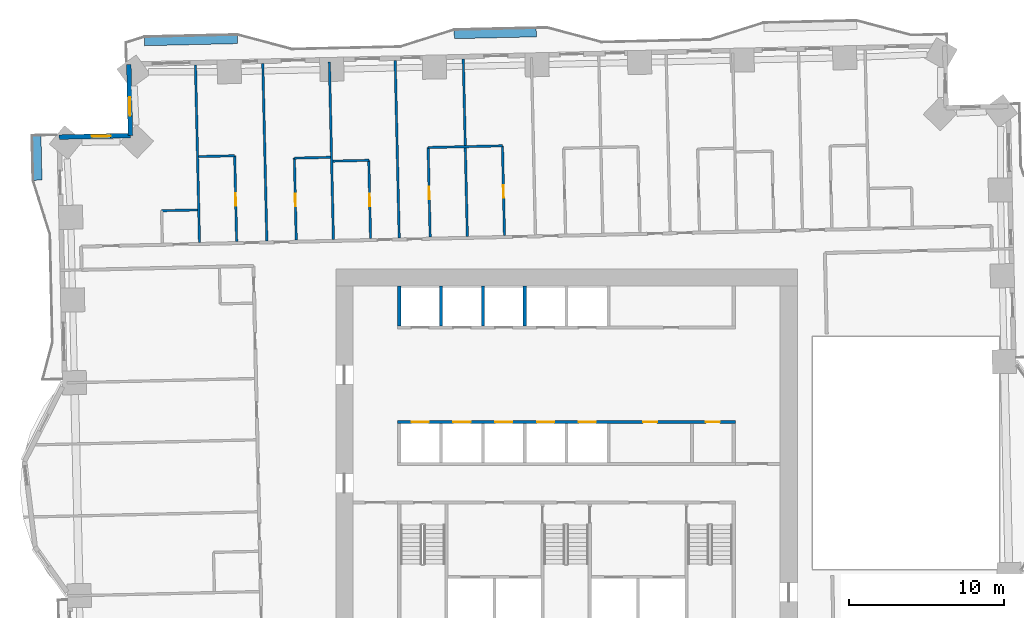
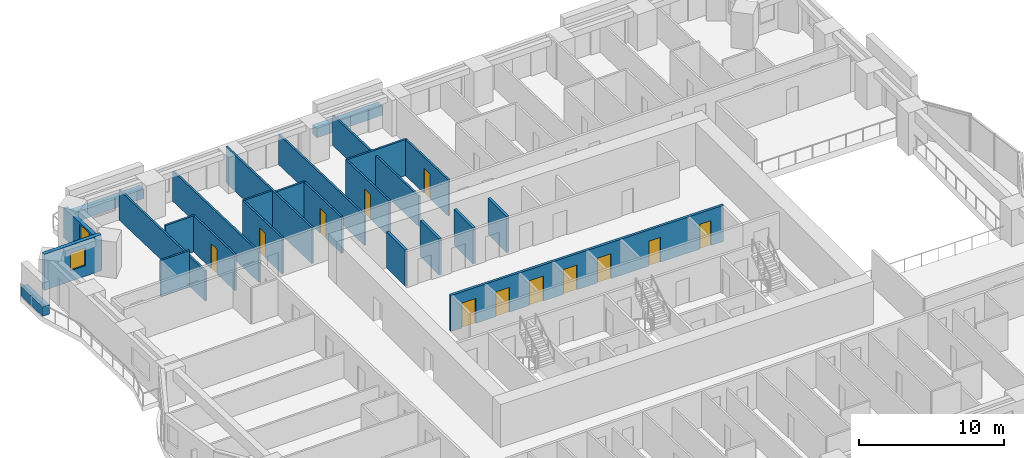
# One storey, part 9 of 16: 25 walls, 12 doors, 2 windows, 14 openings.
"""IFC4 building model written with IfcOpenShell, lengths in metres."""

from ifc_helpers import new_model, si_unit, direction, frame, frame_2d, origin, place, context, subcontext, project, spatial, rectangle, extrude, material, layer, layer_set, type_object, element, fill, save


model = new_model("IFC4")

# Units and contexts
model_context = context("Model", 3, precision=1e-05, world=origin(), true_north=direction((0.0, 1.0)))
body_context = subcontext(model_context, "Body", "Model", "MODEL_VIEW")
ifc_project = project(units=[si_unit("LENGTHUNIT", "METRE"), si_unit("AREAUNIT", "SQUARE_METRE"), si_unit("VOLUMEUNIT", "CUBIC_METRE"), si_unit("PLANEANGLEUNIT", "RADIAN"), si_unit("MASSUNIT", "GRAM", prefix="KILO")], contexts=[model_context])

# Site, building, storey
site_placement = place(None, origin())
site = spatial("IfcSite", under=ifc_project, at=site_placement, CompositionType="ELEMENT")
building_placement = place(site_placement, origin())
building = spatial("IfcBuilding", under=site, at=building_placement, Name="Mangrove Gate Tower", CompositionType="ELEMENT")
storey_placement = place(building_placement, frame((0.0, 0.0, 37.699951171875)))
storey = spatial("IfcBuildingStorey", under=building, at=storey_placement, Name="L08", CompositionType="ELEMENT", Elevation=37.699951171875)

# Wall, openings, doors
ifc_material_1 = material(Name="Concrete C70/85", Category="concrete")
ifc_layer_1 = layer(ifc_material_1, 0.199951171875)
ifc_layer_set_1 = layer_set([ifc_layer_1], Name="Core shaft wall 200 C70/85")
wall_type_1 = type_object("IfcWallType", Name="Core shaft wall 200 C70/85", PredefinedType="SHEAR", material=ifc_layer_set_1)
wall_1_placement = place(storey_placement, frame((-10.89990234375, 2.0, 0.0), z_axis=(0.0, 0.0, 1.0), x_axis=(1.0, 0.0, 0.0)))
wall_1 = element("IfcWall", 1, at=wall_1_placement, inside=storey, type_object=wall_type_1, Name="WALL-L08-CORE-7", PredefinedType="SHEAR", context=body_context, shape_type="SweptSolid", body=[
    extrude(rectangle(XDim=21.7998046875, YDim=0.199951171875, at=frame_2d((10.89990234375, 0.0))), origin(), (0.0, 0.0, 1.0), 3.050048828125),
])
opening_1_placement = place(wall_1_placement, frame((0.89990234375, 0.0, 0.0)))
opening_1 = element("IfcOpeningElement", 2, at=opening_1_placement, cuts=wall_1, Name="Opening LD", PredefinedType="OPENING", context=body_context, shape_type="SweptSolid", body=[
    extrude(rectangle(XDim=1.10009765625, YDim=2.10009765625, at=frame_2d((0.550048828125, 1.050048828125))), frame((0.0, 0.10986328125, 0.0), z_axis=(0.0, -1.0, 0.0), x_axis=(1.0, 0.0, 0.0)), (0.0, 0.0, 1.0), 0.219970703125),
])
opening_2_placement = place(wall_1_placement, frame((3.60009765625, 0.0, 0.0)))
opening_2 = element("IfcOpeningElement", 3, at=opening_2_placement, cuts=wall_1, Name="Opening LD", PredefinedType="OPENING", context=body_context, shape_type="SweptSolid", body=[
    extrude(rectangle(XDim=1.10009765625, YDim=2.10009765625, at=frame_2d((0.550048828125, 1.050048828125))), frame((0.0, 0.10986328125, 0.0), z_axis=(0.0, -1.0, 0.0), x_axis=(1.0, 0.0, 0.0)), (0.0, 0.0, 1.0), 0.219970703125),
])
opening_3_placement = place(wall_1_placement, frame((6.300048828125, 0.0, 0.0)))
opening_3 = element("IfcOpeningElement", 4, at=opening_3_placement, cuts=wall_1, Name="Opening LD", PredefinedType="OPENING", context=body_context, shape_type="SweptSolid", body=[
    extrude(rectangle(XDim=1.10009765625, YDim=2.10009765625, at=frame_2d((0.550048828125, 1.050048828125))), frame((0.0, 0.10986328125, 0.0), z_axis=(0.0, -1.0, 0.0), x_axis=(1.0, 0.0, 0.0)), (0.0, 0.0, 1.0), 0.219970703125),
])
opening_4_placement = place(wall_1_placement, frame((9.0, 0.0, 0.0)))
opening_4 = element("IfcOpeningElement", 5, at=opening_4_placement, cuts=wall_1, Name="Opening LD", PredefinedType="OPENING", context=body_context, shape_type="SweptSolid", body=[
    extrude(rectangle(XDim=1.10009765625, YDim=2.10009765625, at=frame_2d((0.550048828125, 1.050048828125))), frame((0.0, 0.10986328125, 0.0), z_axis=(0.0, -1.0, 0.0), x_axis=(1.0, 0.0, 0.0)), (0.0, 0.0, 1.0), 0.219970703125),
])
opening_5_placement = place(wall_1_placement, frame((11.699951171875, 0.0, 0.0)))
opening_5 = element("IfcOpeningElement", 6, at=opening_5_placement, cuts=wall_1, Name="Opening LD", PredefinedType="OPENING", context=body_context, shape_type="SweptSolid", body=[
    extrude(rectangle(XDim=1.10009765625, YDim=2.10009765625, at=frame_2d((0.550048828125, 1.050048828125))), frame((0.0, 0.10986328125, 0.0), z_axis=(0.0, -1.0, 0.0), x_axis=(1.0, 0.0, 0.0)), (0.0, 0.0, 1.0), 0.219970703125),
])
opening_6_placement = place(wall_1_placement, frame((15.85009765625, 0.0, 0.0)))
opening_6 = element("IfcOpeningElement", 7, at=opening_6_placement, cuts=wall_1, Name="Opening KD", PredefinedType="OPENING", context=body_context, shape_type="SweptSolid", body=[
    extrude(rectangle(XDim=0.89990234375, YDim=2.10009765625, at=frame_2d((0.449951171875, 1.050048828125))), frame((0.0, 0.10986328125, 0.0), z_axis=(0.0, -1.0, 0.0), x_axis=(1.0, 0.0, 0.0)), (0.0, 0.0, 1.0), 0.219970703125),
])
opening_7_placement = place(wall_1_placement, frame((19.89990234375, 0.0, 0.0)))
opening_7 = element("IfcOpeningElement", 8, at=opening_7_placement, cuts=wall_1, Name="Opening KD", PredefinedType="OPENING", context=body_context, shape_type="SweptSolid", body=[
    extrude(rectangle(XDim=0.89990234375, YDim=2.10009765625, at=frame_2d((0.449951171875, 1.050048828125))), frame((0.0, 0.10986328125, 0.0), z_axis=(0.0, -1.0, 0.0), x_axis=(1.0, 0.0, 0.0)), (0.0, 0.0, 1.0), 0.219970703125),
])
ifc_material_2 = material(Name="Fire-rated steel door set", Category="steel")
door_type_1 = type_object("IfcDoorType", Name="Core room door FD30S 900x2100", OperationType="SINGLE_SWING_RIGHT", PredefinedType="DOOR", material=ifc_material_2)
door_1_placement = place(opening_6_placement, origin())
door_1 = element("IfcDoor", 9, at=door_1_placement, inside=storey, type_object=door_type_1, Name="Core room door Pantry store", OperationType="SINGLE_SWING_RIGHT", OverallHeight=2.10009765625, OverallWidth=0.89990234375, PredefinedType="DOOR", context=body_context, shape_type="SweptSolid", body=[
    extrude(rectangle(XDim=0.89990234375, YDim=2.10009765625, at=frame_2d((0.449951171875, 1.050048828125))), frame((0.0, 0.02490234375, 0.0), z_axis=(0.0, -1.0, 0.0), x_axis=(1.0, 0.0, 0.0)), (0.0, 0.0, 1.0), 0.050048828125),
])
fill(opening_6, door_1)
door_2_placement = place(opening_7_placement, origin())
door_2 = element("IfcDoor", 10, at=door_2_placement, inside=storey, type_object=door_type_1, Name="Core room door Cleaner's store", OperationType="SINGLE_SWING_RIGHT", OverallHeight=2.10009765625, OverallWidth=0.89990234375, PredefinedType="DOOR", context=body_context, shape_type="SweptSolid", body=[
    extrude(rectangle(XDim=0.89990234375, YDim=2.10009765625, at=frame_2d((0.449951171875, 1.050048828125))), frame((0.0, 0.02490234375, 0.0), z_axis=(0.0, -1.0, 0.0), x_axis=(1.0, 0.0, 0.0)), (0.0, 0.0, 1.0), 0.050048828125),
])
fill(opening_7, door_2)
ifc_material_3 = material(Name="Stainless steel 316", Category="steel")
door_type_2 = type_object("IfcDoorType", Name="Lift landing door 1100x2100", OperationType="SLIDING_TO_LEFT", PredefinedType="DOOR", material=ifc_material_3)
door_3_placement = place(opening_1_placement, origin())
door_3 = element("IfcDoor", 11, at=door_3_placement, inside=storey, type_object=door_type_2, Name="Landing door LD P01", OperationType="SLIDING_TO_LEFT", OverallHeight=2.10009765625, OverallWidth=1.10009765625, PredefinedType="DOOR", context=body_context, shape_type="SweptSolid", body=[
    extrude(rectangle(XDim=1.10009765625, YDim=2.10009765625, at=frame_2d((0.550048828125, 1.050048828125))), frame((0.0, 0.02490234375, 0.0), z_axis=(0.0, -1.0, 0.0), x_axis=(1.0, 0.0, 0.0)), (0.0, 0.0, 1.0), 0.050048828125),
])
fill(opening_1, door_3)
door_4_placement = place(opening_2_placement, origin())
door_4 = element("IfcDoor", 12, at=door_4_placement, inside=storey, type_object=door_type_2, Name="Landing door LD P02", OperationType="SLIDING_TO_LEFT", OverallHeight=2.10009765625, OverallWidth=1.10009765625, PredefinedType="DOOR", context=body_context, shape_type="SweptSolid", body=[
    extrude(rectangle(XDim=1.10009765625, YDim=2.10009765625, at=frame_2d((0.550048828125, 1.050048828125))), frame((0.0, 0.02490234375, 0.0), z_axis=(0.0, -1.0, 0.0), x_axis=(1.0, 0.0, 0.0)), (0.0, 0.0, 1.0), 0.050048828125),
])
fill(opening_2, door_4)
door_5_placement = place(opening_3_placement, origin())
door_5 = element("IfcDoor", 13, at=door_5_placement, inside=storey, type_object=door_type_2, Name="Landing door LD P03", OperationType="SLIDING_TO_LEFT", OverallHeight=2.10009765625, OverallWidth=1.10009765625, PredefinedType="DOOR", context=body_context, shape_type="SweptSolid", body=[
    extrude(rectangle(XDim=1.10009765625, YDim=2.10009765625, at=frame_2d((0.550048828125, 1.050048828125))), frame((0.0, 0.02490234375, 0.0), z_axis=(0.0, -1.0, 0.0), x_axis=(1.0, 0.0, 0.0)), (0.0, 0.0, 1.0), 0.050048828125),
])
fill(opening_3, door_5)
door_6_placement = place(opening_4_placement, origin())
door_6 = element("IfcDoor", 14, at=door_6_placement, inside=storey, type_object=door_type_2, Name="Landing door LD P04", OperationType="SLIDING_TO_LEFT", OverallHeight=2.10009765625, OverallWidth=1.10009765625, PredefinedType="DOOR", context=body_context, shape_type="SweptSolid", body=[
    extrude(rectangle(XDim=1.10009765625, YDim=2.10009765625, at=frame_2d((0.550048828125, 1.050048828125))), frame((0.0, 0.02490234375, 0.0), z_axis=(0.0, -1.0, 0.0), x_axis=(1.0, 0.0, 0.0)), (0.0, 0.0, 1.0), 0.050048828125),
])
fill(opening_4, door_6)
door_7_placement = place(opening_5_placement, origin())
door_7 = element("IfcDoor", 15, at=door_7_placement, inside=storey, type_object=door_type_2, Name="Landing door LD P05", OperationType="SLIDING_TO_LEFT", OverallHeight=2.10009765625, OverallWidth=1.10009765625, PredefinedType="DOOR", context=body_context, shape_type="SweptSolid", body=[
    extrude(rectangle(XDim=1.10009765625, YDim=2.10009765625, at=frame_2d((0.550048828125, 1.050048828125))), frame((0.0, 0.02490234375, 0.0), z_axis=(0.0, -1.0, 0.0), x_axis=(1.0, 0.0, 0.0)), (0.0, 0.0, 1.0), 0.050048828125),
])
fill(opening_5, door_7)

# Walls
for number, where, z_axis, x_axis, name in (
    (16, (-10.800048828125, 8.199951171875, 0.0), (0.0, 0.0, 1.0), (0.0, 1.0, 0.0), "WALL-L08-CORE-27"),
    (17, (-8.10009765625, 8.199951171875, 0.0), (0.0, 0.0, 1.0), (0.0, 1.0, 0.0), "WALL-L08-CORE-28"),
    (18, (-5.39990234375, 8.199951171875, 0.0), (0.0, 0.0, 1.0), (0.0, 1.0, 0.0), "WALL-L08-CORE-29"),
    (19, (-2.699951171875, 8.199951171875, 0.0), (0.0, 0.0, 1.0), (0.0, 1.0, 0.0), "WALL-L08-CORE-30"),
):
    element("IfcWall", number, at=place(storey_placement, frame(where, z_axis=z_axis, x_axis=x_axis)), inside=storey, type_object=wall_type_1, Name=name, PredefinedType="SHEAR", context=body_context, shape_type="SweptSolid", body=[
        extrude(rectangle(XDim=2.60009765625, YDim=0.199951171875, at=frame_2d((1.300048828125, 0.0))), origin(), (0.0, 0.0, 1.0), 3.050048828125),
    ])

# Wall, opening, window
ifc_material_4 = material(Name="Limestone", Category="masonry")
ifc_layer_2 = layer(ifc_material_4, 0.0400390625, Name="Limestone cladding")
ifc_material_5 = material(Name="Ventilated air gap")
ifc_layer_3 = layer(ifc_material_5, 0.0400390625, Name="Ventilated cavity")
ifc_material_6 = material(Name="Mineral wool insulation")
ifc_layer_4 = layer(ifc_material_6, 0.06005859375, Name="Insulation")
ifc_material_7 = material(Name="Breather membrane")
ifc_layer_5 = layer(ifc_material_7, 0.001953125, Name="Breather membrane")
ifc_material_8 = material(Name="Concrete C20/25 blockwork", Category="masonry")
ifc_layer_6 = layer(ifc_material_8, 0.14990234375, Name="Blockwork backing wall")
ifc_material_9 = material(Name="Gypsum plaster")
ifc_layer_7 = layer(ifc_material_9, 0.008056640625, Name="Internal plaster")
ifc_layer_set_2 = layer_set([ifc_layer_2, ifc_layer_3, ifc_layer_4, ifc_layer_5, ifc_layer_6, ifc_layer_7], Name="External wall 300 limestone cladding")
wall_type_2 = type_object("IfcWallType", Name="External wall 300 limestone cladding", PredefinedType="SOLIDWALL", material=ifc_layer_set_2)
wall_2_placement = place(storey_placement, frame((-28.263916015625, 25.10205078125, 0.0), z_axis=(0.0, 0.0, 1.0), x_axis=(0.022820258049, -0.999739584003, 0.0)))
wall_2 = element("IfcWall", 20, at=wall_2_placement, inside=storey, type_object=wall_type_2, Name="WALL-L08-W6", PredefinedType="SOLIDWALL", context=body_context, shape_type="SweptSolid", body=[
    extrude(rectangle(XDim=4.600341796875, YDim=0.300048828125, at=frame_2d((2.30029296875, 0.0))), origin(), (0.0, 0.0, 1.0), 2.550048828125),
])
opening_8_placement = place(wall_2_placement, frame((2.133056640625, 0.0, 0.89990234375)))
opening_8 = element("IfcOpeningElement", 21, at=opening_8_placement, cuts=wall_2, Name="Opening W1", PredefinedType="OPENING", context=body_context, shape_type="SweptSolid", body=[
    extrude(rectangle(XDim=1.199951171875, YDim=1.5, at=frame_2d((0.60009765625, 0.75))), frame((0.0, 0.159912109375, 0.0), z_axis=(0.0, -1.0, 0.0), x_axis=(1.0, 0.0, 0.0)), (0.0, 0.0, 1.0), 0.320068359375),
])
ifc_material_10 = material(Name="Aluminium frame with double-glazed low-e glass", Category="aluminium")
window_type = type_object("IfcWindowType", Name="Side lite 1200x1500", PartitioningType="SINGLE_PANEL", PredefinedType="WINDOW", material=ifc_material_10)
window_1_placement = place(opening_8_placement, origin())
window_1 = element("IfcWindow", 22, at=window_1_placement, inside=storey, type_object=window_type, Name="WIN-L08-W6-1", OverallHeight=1.5, OverallWidth=1.199951171875, PartitioningType="SINGLE_PANEL", PredefinedType="WINDOW", context=body_context, shape_type="SweptSolid", body=[
    extrude(rectangle(XDim=1.199951171875, YDim=1.5, at=frame_2d((0.60009765625, 0.75))), frame((0.0, 0.030029296875, 0.0), z_axis=(0.0, -1.0, 0.0), x_axis=(1.0, 0.0, 0.0)), (0.0, 0.0, 1.0), 0.06005859375),
])
fill(opening_8, window_1)

wall_3_placement = place(storey_placement, frame((-28.158935546875, 20.5029296875, 0.0), z_axis=(0.0, 0.0, 1.0), x_axis=(-0.999744404568, -0.02260808559, 0.0)))
wall_3 = element("IfcWall", 23, at=wall_3_placement, inside=storey, type_object=wall_type_2, Name="WALL-L08-N7", PredefinedType="SOLIDWALL", context=body_context, shape_type="SweptSolid", body=[
    extrude(rectangle(XDim=4.600341796875, YDim=0.300048828125, at=frame_2d((2.30029296875, 0.0))), origin(), (0.0, 0.0, 1.0), 3.050048828125),
])
opening_9_placement = place(wall_3_placement, frame((1.283935546875, 0.0, 0.89990234375)))
opening_9 = element("IfcOpeningElement", 24, at=opening_9_placement, cuts=wall_3, Name="Opening W1", PredefinedType="OPENING", context=body_context, shape_type="SweptSolid", body=[
    extrude(rectangle(XDim=1.199951171875, YDim=1.5, at=frame_2d((0.60009765625, 0.75))), frame((0.0, 0.159912109375, 0.0), z_axis=(0.0, -1.0, 0.0), x_axis=(1.0, 0.0, 0.0)), (0.0, 0.0, 1.0), 0.320068359375),
])
window_2_placement = place(opening_9_placement, origin())
window_2 = element("IfcWindow", 25, at=window_2_placement, inside=storey, type_object=window_type, Name="WIN-L08-N7-1", OverallHeight=1.5, OverallWidth=1.199951171875, PartitioningType="SINGLE_PANEL", PredefinedType="WINDOW", context=body_context, shape_type="SweptSolid", body=[
    extrude(rectangle(XDim=1.199951171875, YDim=1.5, at=frame_2d((0.60009765625, 0.75))), frame((0.0, 0.030029296875, 0.0), z_axis=(0.0, -1.0, 0.0), x_axis=(1.0, 0.0, 0.0)), (0.0, 0.0, 1.0), 0.06005859375),
])
fill(opening_9, window_2)

# Wall
ifc_material_11 = material(Name="Gypsum board on steel stud, EI 60", Category="steel")
ifc_layer_8 = layer(ifc_material_11, 0.14990234375)
ifc_layer_set_3 = layer_set([ifc_layer_8], Name="Party wall 150 EI 60")
wall_type_3 = type_object("IfcWallType", Name="Party wall 150 EI 60", PredefinedType="PARTITIONING", material=ifc_layer_set_3)
wall_4_placement = place(storey_placement, frame((-23.701904296875, 13.60205078125, 0.0), z_axis=(0.0, 0.0, 1.0), x_axis=(-0.022621153305, 0.999744108971, 0.0)))
element("IfcWall", 26, at=wall_4_placement, inside=storey, type_object=wall_type_3, Name="WALL-L08-058", PredefinedType="PARTITIONING", context=body_context, shape_type="SweptSolid", body=[
    extrude(rectangle(XDim=11.450927734375, YDim=0.14990234375, at=frame_2d((5.7255859375, 0.0))), origin(), (0.0, 0.0, 1.0), 2.550048828125),
])

# Wall, opening, door
wall_5_placement = place(storey_placement, frame((-21.302001953125, 13.656982421875, 0.0), z_axis=(0.0, 0.0, 1.0), x_axis=(-0.02273742063, 0.999741471433, 0.0)))
wall_5 = element("IfcWall", 27, at=wall_5_placement, inside=storey, type_object=wall_type_3, Name="WALL-L08-059", PredefinedType="PARTITIONING", context=body_context, shape_type="SweptSolid", body=[
    extrude(rectangle(XDim=5.54052734375, YDim=0.14990234375, at=frame_2d((2.770263671875, 0.0))), origin(), (0.0, 0.0, 1.0), 3.050048828125),
])
opening_10_placement = place(wall_5_placement, frame((2.320068359375, 0.0, 0.0)))
opening_10 = element("IfcOpeningElement", 28, at=opening_10_placement, cuts=wall_5, Name="Opening ED", PredefinedType="OPENING", context=body_context, shape_type="SweptSolid", body=[
    extrude(rectangle(XDim=0.800048828125, YDim=2.10009765625, at=frame_2d((0.39990234375, 1.050048828125))), frame((0.0, 0.0849609375, 0.0), z_axis=(0.0, -1.0, 0.0), x_axis=(1.0, 0.0, 0.0)), (0.0, 0.0, 1.0), 0.169921875),
])
ifc_material_12 = material(Name="Timber door leaf", Category="wood")
door_type_3 = type_object("IfcDoorType", Name="En-suite door 800", OperationType="SINGLE_SWING_LEFT", PredefinedType="DOOR", material=ifc_material_12)
door_8_placement = place(opening_10_placement, origin())
door_8 = element("IfcDoor", 29, at=door_8_placement, inside=storey, type_object=door_type_3, Name="DOOR-L08-ENS-c519", OperationType="SINGLE_SWING_LEFT", OverallHeight=2.10009765625, OverallWidth=0.800048828125, PredefinedType="DOOR", context=body_context, shape_type="SweptSolid", body=[
    extrude(rectangle(XDim=0.800048828125, YDim=2.10009765625, at=frame_2d((0.39990234375, 1.050048828125))), frame((0.0, 0.02490234375, 0.0), z_axis=(0.0, -1.0, 0.0), x_axis=(1.0, 0.0, 0.0)), (0.0, 0.0, 1.0), 0.050048828125),
])
fill(opening_10, door_8)

# Wall
wall_6_placement = place(storey_placement, frame((-19.35302734375, 13.700927734375, 0.0), z_axis=(0.0, 0.0, 1.0), x_axis=(-0.022708327922, 0.999742132674, 0.0)))
element("IfcWall", 30, at=wall_6_placement, inside=storey, type_object=wall_type_3, Name="WALL-L08-060", PredefinedType="PARTITIONING", context=body_context, shape_type="SweptSolid", body=[
    extrude(rectangle(XDim=11.449951171875, YDim=0.14990234375, at=frame_2d((5.72509765625, 0.0))), origin(), (0.0, 0.0, 1.0), 2.550048828125),
])

# Wall, opening, door
wall_7_placement = place(storey_placement, frame((-17.452880859375, 13.743896484375, 0.0), z_axis=(0.0, 0.0, 1.0), x_axis=(-0.022845913063, 0.999738998067, 0.0)))
wall_7 = element("IfcWall", 31, at=wall_7_placement, inside=storey, type_object=wall_type_3, Name="WALL-L08-061", PredefinedType="PARTITIONING", context=body_context, shape_type="SweptSolid", body=[
    extrude(rectangle(XDim=5.300537109375, YDim=0.14990234375, at=frame_2d((2.650390625, 0.0))), origin(), (0.0, 0.0, 1.0), 3.050048828125),
])
opening_11_placement = place(wall_7_placement, frame((2.199951171875, 0.0, 0.0)))
opening_11 = element("IfcOpeningElement", 32, at=opening_11_placement, cuts=wall_7, Name="Opening ED", PredefinedType="OPENING", context=body_context, shape_type="SweptSolid", body=[
    extrude(rectangle(XDim=0.800048828125, YDim=2.10009765625, at=frame_2d((0.39990234375, 1.050048828125))), frame((0.0, 0.0849609375, 0.0), z_axis=(0.0, -1.0, 0.0), x_axis=(1.0, 0.0, 0.0)), (0.0, 0.0, 1.0), 0.169921875),
])
door_9_placement = place(opening_11_placement, origin())
door_9 = element("IfcDoor", 33, at=door_9_placement, inside=storey, type_object=door_type_3, Name="DOOR-L08-ENS-c518", OperationType="SINGLE_SWING_RIGHT", OverallHeight=2.10009765625, OverallWidth=0.800048828125, PredefinedType="DOOR", context=body_context, shape_type="SweptSolid", body=[
    extrude(rectangle(XDim=0.800048828125, YDim=2.10009765625, at=frame_2d((0.39990234375, 1.050048828125))), frame((0.0, 0.02490234375, 0.0), z_axis=(0.0, -1.0, 0.0), x_axis=(1.0, 0.0, 0.0)), (0.0, 0.0, 1.0), 0.050048828125),
])
fill(opening_11, door_9)

# Wall
wall_8_placement = place(storey_placement, frame((-15.053955078125, 13.799072265625, 0.0), z_axis=(0.0, 0.0, 1.0), x_axis=(-0.022708327922, 0.999742132674, 0.0)))
element("IfcWall", 34, at=wall_8_placement, inside=storey, type_object=wall_type_3, Name="WALL-L08-062", PredefinedType="PARTITIONING", context=body_context, shape_type="SweptSolid", body=[
    extrude(rectangle(XDim=11.449951171875, YDim=0.14990234375, at=frame_2d((5.72509765625, 0.0))), origin(), (0.0, 0.0, 1.0), 3.050048828125),
])

# Wall, opening, door
wall_9_placement = place(storey_placement, frame((-12.655029296875, 13.85302734375, 0.0), z_axis=(0.0, 0.0, 1.0), x_axis=(-0.02257535817, 0.999745144126, 0.0)))
wall_9 = element("IfcWall", 35, at=wall_9_placement, inside=storey, type_object=wall_type_3, Name="WALL-L08-063", PredefinedType="PARTITIONING", context=body_context, shape_type="SweptSolid", body=[
    extrude(rectangle(XDim=5.05029296875, YDim=0.14990234375, at=frame_2d((2.525146484375, 0.0))), origin(), (0.0, 0.0, 1.0), 3.050048828125),
])
opening_12_placement = place(wall_9_placement, frame((2.074951171875, 0.0, 0.0)))
opening_12 = element("IfcOpeningElement", 36, at=opening_12_placement, cuts=wall_9, Name="Opening ED", PredefinedType="OPENING", context=body_context, shape_type="SweptSolid", body=[
    extrude(rectangle(XDim=0.800048828125, YDim=2.10009765625, at=frame_2d((0.39990234375, 1.050048828125))), frame((0.0, 0.0849609375, 0.0), z_axis=(0.0, -1.0, 0.0), x_axis=(1.0, 0.0, 0.0)), (0.0, 0.0, 1.0), 0.169921875),
])
door_10_placement = place(opening_12_placement, origin())
door_10 = element("IfcDoor", 37, at=door_10_placement, inside=storey, type_object=door_type_3, Name="DOOR-L08-ENS-c517", OperationType="SINGLE_SWING_LEFT", OverallHeight=2.10009765625, OverallWidth=0.800048828125, PredefinedType="DOOR", context=body_context, shape_type="SweptSolid", body=[
    extrude(rectangle(XDim=0.800048828125, YDim=2.10009765625, at=frame_2d((0.39990234375, 1.050048828125))), frame((0.0, 0.02490234375, 0.0), z_axis=(0.0, -1.0, 0.0), x_axis=(1.0, 0.0, 0.0)), (0.0, 0.0, 1.0), 0.050048828125),
])
fill(opening_12, door_10)

# Wall
wall_10_placement = place(storey_placement, frame((-10.804931640625, 13.89501953125, 0.0), z_axis=(0.0, 0.0, 1.0), x_axis=(-0.022708327922, 0.999742132674, 0.0)))
element("IfcWall", 38, at=wall_10_placement, inside=storey, type_object=wall_type_3, Name="WALL-L08-064", PredefinedType="PARTITIONING", context=body_context, shape_type="SweptSolid", body=[
    extrude(rectangle(XDim=11.449951171875, YDim=0.14990234375, at=frame_2d((5.72509765625, 0.0))), origin(), (0.0, 0.0, 1.0), 2.550048828125),
])

# Wall, opening, door
wall_11_placement = place(storey_placement, frame((-8.805908203125, 13.94091796875, 0.0), z_axis=(0.0, 0.0, 1.0), x_axis=(-0.022644773889, 0.999743574231, 0.0)))
wall_11 = element("IfcWall", 39, at=wall_11_placement, inside=storey, type_object=wall_type_3, Name="WALL-L08-065", PredefinedType="PARTITIONING", context=body_context, shape_type="SweptSolid", body=[
    extrude(rectangle(XDim=5.78955078125, YDim=0.14990234375, at=frame_2d((2.894775390625, 0.0))), origin(), (0.0, 0.0, 1.0), 3.050048828125),
])
opening_13_placement = place(wall_11_placement, frame((2.445068359375, 0.0, 0.0)))
opening_13 = element("IfcOpeningElement", 40, at=opening_13_placement, cuts=wall_11, Name="Opening ED", PredefinedType="OPENING", context=body_context, shape_type="SweptSolid", body=[
    extrude(rectangle(XDim=0.800048828125, YDim=2.10009765625, at=frame_2d((0.39990234375, 1.050048828125))), frame((0.0, 0.0849609375, 0.0), z_axis=(0.0, -1.0, 0.0), x_axis=(1.0, 0.0, 0.0)), (0.0, 0.0, 1.0), 0.169921875),
])
door_11_placement = place(opening_13_placement, origin())
door_11 = element("IfcDoor", 41, at=door_11_placement, inside=storey, type_object=door_type_3, Name="DOOR-L08-ENS-c416", OperationType="SINGLE_SWING_RIGHT", OverallHeight=2.10009765625, OverallWidth=0.800048828125, PredefinedType="DOOR", context=body_context, shape_type="SweptSolid", body=[
    extrude(rectangle(XDim=0.800048828125, YDim=2.10009765625, at=frame_2d((0.39990234375, 1.050048828125))), frame((0.0, 0.02490234375, 0.0), z_axis=(0.0, -1.0, 0.0), x_axis=(1.0, 0.0, 0.0)), (0.0, 0.0, 1.0), 0.050048828125),
])
fill(opening_13, door_11)

# Wall
wall_12_placement = place(storey_placement, frame((-6.406005859375, 13.9951171875, 0.0), z_axis=(0.0, 0.0, 1.0), x_axis=(-0.022708812003, 0.999742121678, 0.0)))
element("IfcWall", 42, at=wall_12_placement, inside=storey, type_object=wall_type_3, Name="WALL-L08-066", PredefinedType="PARTITIONING", context=body_context, shape_type="SweptSolid", body=[
    extrude(rectangle(XDim=11.44970703125, YDim=0.14990234375, at=frame_2d((5.724853515625, 0.0))), origin(), (0.0, 0.0, 1.0), 2.550048828125),
])

# Wall, opening, door
wall_13_placement = place(storey_placement, frame((-4.007080078125, 14.049072265625, 0.0), z_axis=(0.0, 0.0, 1.0), x_axis=(-0.02259976811, 0.999744592624, 0.0)))
wall_13 = element("IfcWall", 43, at=wall_13_placement, inside=storey, type_object=wall_type_3, Name="WALL-L08-067", PredefinedType="PARTITIONING", context=body_context, shape_type="SweptSolid", body=[
    extrude(rectangle(XDim=5.790283203125, YDim=0.14990234375, at=frame_2d((2.89501953125, 0.0))), origin(), (0.0, 0.0, 1.0), 3.050048828125),
])
opening_14_placement = place(wall_13_placement, frame((2.445068359375, 0.0, 0.0)))
opening_14 = element("IfcOpeningElement", 44, at=opening_14_placement, cuts=wall_13, Name="Opening ED", PredefinedType="OPENING", context=body_context, shape_type="SweptSolid", body=[
    extrude(rectangle(XDim=0.800048828125, YDim=2.10009765625, at=frame_2d((0.39990234375, 1.050048828125))), frame((0.0, 0.0849609375, 0.0), z_axis=(0.0, -1.0, 0.0), x_axis=(1.0, 0.0, 0.0)), (0.0, 0.0, 1.0), 0.169921875),
])
door_12_placement = place(opening_14_placement, origin())
door_12 = element("IfcDoor", 45, at=door_12_placement, inside=storey, type_object=door_type_3, Name="DOOR-L08-ENS-c415", OperationType="SINGLE_SWING_LEFT", OverallHeight=2.10009765625, OverallWidth=0.800048828125, PredefinedType="DOOR", context=body_context, shape_type="SweptSolid", body=[
    extrude(rectangle(XDim=0.800048828125, YDim=2.10009765625, at=frame_2d((0.39990234375, 1.050048828125))), frame((0.0, 0.02490234375, 0.0), z_axis=(0.0, -1.0, 0.0), x_axis=(1.0, 0.0, 0.0)), (0.0, 0.0, 1.0), 0.050048828125),
])
fill(opening_14, door_12)

# Walls
for number, where, z_axis, x_axis, name in (
    (46, (-26.14892578125, 15.64794921875, 0.0), (0.0, 0.0, 1.0), (0.999749954681, 0.022361308448, 0.0), "WALL-L08-080"),
    (47, (-15.093994140625, 18.84912109375, 0.0), (0.0, 0.0, 1.0), (0.999740478815, 0.022781023197, 0.0), "WALL-L08-082"),
    (48, (-17.573974609375, 19.04296875, 0.0), (0.0, 0.0, 1.0), (0.999740478815, 0.022781023197, 0.0), "WALL-L08-084"),
):
    element("IfcWall", number, at=place(storey_placement, frame(where, z_axis=z_axis, x_axis=x_axis)), inside=storey, type_object=wall_type_3, Name=name, PredefinedType="PARTITIONING", context=body_context, shape_type="SweptSolid", body=[
        extrude(rectangle(XDim=2.325439453125, YDim=0.14990234375, at=frame_2d((1.16259765625, 0.0))), origin(), (0.0, 0.0, 1.0), 3.050048828125),
    ])
wall_14_placement = place(storey_placement, frame((-23.751953125, 19.14306640625, 0.0), z_axis=(0.0, 0.0, 1.0), x_axis=(0.999740260747, 0.02279059109, 0.0)))
element("IfcWall", 49, at=wall_14_placement, inside=storey, type_object=wall_type_3, Name="WALL-L08-087", PredefinedType="PARTITIONING", context=body_context, shape_type="SweptSolid", body=[
    extrude(rectangle(XDim=2.324462890625, YDim=0.14990234375, at=frame_2d((1.162109375, 0.0))), origin(), (0.0, 0.0, 1.0), 3.050048828125),
])
wall_15_placement = place(storey_placement, frame((-8.93701171875, 19.72900390625, 0.0), z_axis=(0.0, 0.0, 1.0), x_axis=(0.999742701292, 0.022683280499, 0.0)))
element("IfcWall", 50, at=wall_15_placement, inside=storey, type_object=wall_type_3, Name="WALL-L08-089", PredefinedType="PARTITIONING", context=body_context, shape_type="SweptSolid", body=[
    extrude(rectangle(XDim=4.80029296875, YDim=0.14990234375, at=frame_2d((2.400146484375, 0.0))), origin(), (0.0, 0.0, 1.0), 3.050048828125),
])
ifc_material_13 = material(Name="Concrete C32/40", Category="concrete")
ifc_layer_9 = layer(ifc_material_13, 0.199951171875, Name="Planter trough wall")
ifc_material_14 = material(Name="Bituminous waterproofing membrane")
ifc_layer_10 = layer(ifc_material_14, 0.0048828125, Name="Waterproofing")
ifc_material_15 = material(Name="Drainage board and gravel")
ifc_layer_11 = layer(ifc_material_15, 0.044921875, Name="Drainage layer")
ifc_material_16 = material(Name="Planting soil")
ifc_layer_12 = layer(ifc_material_16, 0.300048828125, Name="Growing medium")
ifc_layer_set_4 = layer_set([ifc_layer_9, ifc_layer_10, ifc_layer_11, ifc_layer_12], Name="Planter wall 550 C32/40")
wall_type_4 = type_object("IfcWallType", Name="Planter wall 550 C32/40", PredefinedType="USERDEFINED", material=ifc_layer_set_4)
wall_16_placement = place(storey_placement, frame((-27.2470703125, 26.574951171875, 0.0), z_axis=(0.0, 0.0, 1.0), x_axis=(0.999743178102, 0.022662255828, 0.0)))
element("IfcWall", 51, at=wall_16_placement, inside=storey, type_object=wall_type_4, Name="PLANTER L08 N1.1", ObjectType="PLANTER", PredefinedType="USERDEFINED", context=body_context, shape_type="SweptSolid", body=[
    extrude(rectangle(XDim=6.00048828125, YDim=0.550048828125, at=frame_2d((3.000244140625, 0.0))), origin(), (0.0, 0.0, 1.0), 0.800048828125),
])
wall_17_placement = place(storey_placement, frame((-7.251953125, 27.029052734375, 0.0), z_axis=(0.0, 0.0, 1.0), x_axis=(0.999744231672, 0.022615729912, 0.0)))
element("IfcWall", 52, at=wall_17_placement, inside=storey, type_object=wall_type_4, Name="PLANTER L08 N1.2", ObjectType="PLANTER", PredefinedType="USERDEFINED", context=body_context, shape_type="SweptSolid", body=[
    extrude(rectangle(XDim=5.300537109375, YDim=0.550048828125, at=frame_2d((2.650390625, 0.0))), origin(), (0.0, 0.0, 1.0), 0.800048828125),
])
wall_18_placement = place(storey_placement, frame((-34.14501953125, 17.616943359375, 0.0), z_axis=(0.0, 0.0, 1.0), x_axis=(-0.022730967319, 0.999741618182, 0.0)))
element("IfcWall", 53, at=wall_18_placement, inside=storey, type_object=wall_type_4, Name="PLANTER L08 W0.1", ObjectType="PLANTER", PredefinedType="USERDEFINED", context=body_context, shape_type="SweptSolid", body=[
    extrude(rectangle(XDim=2.89990234375, YDim=0.550048828125, at=frame_2d((1.449951171875, 0.0))), origin(), (0.0, 0.0, 1.0), 0.800048828125),
])

save(model, "model.ifc")
